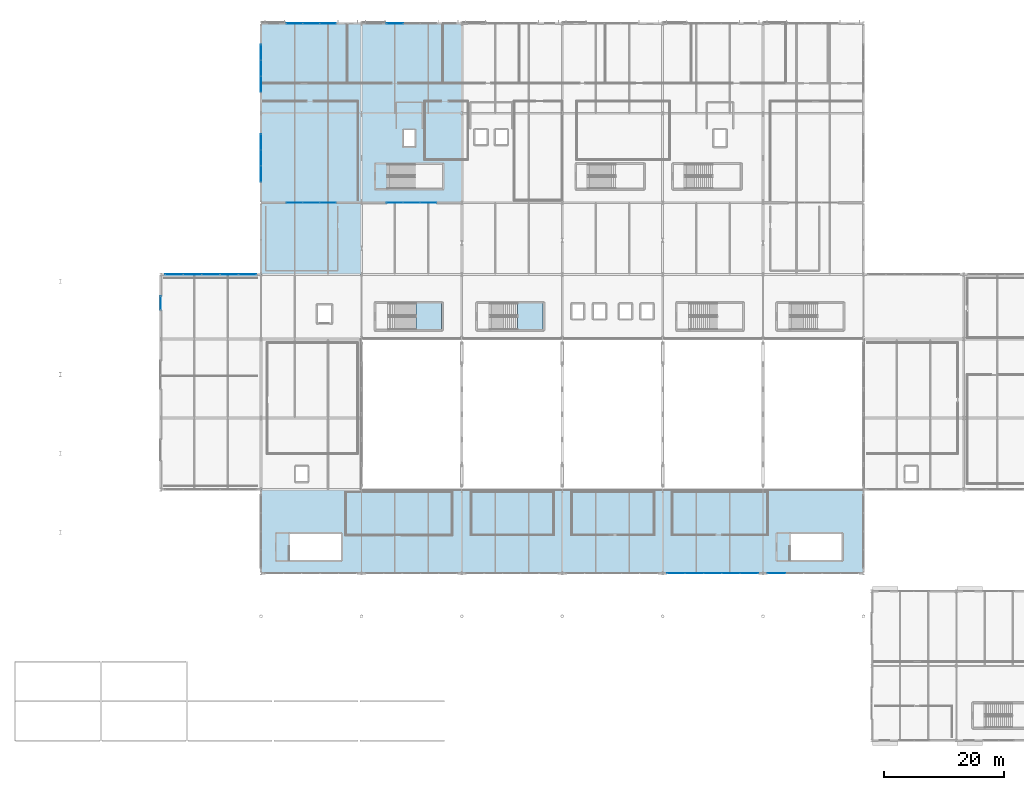
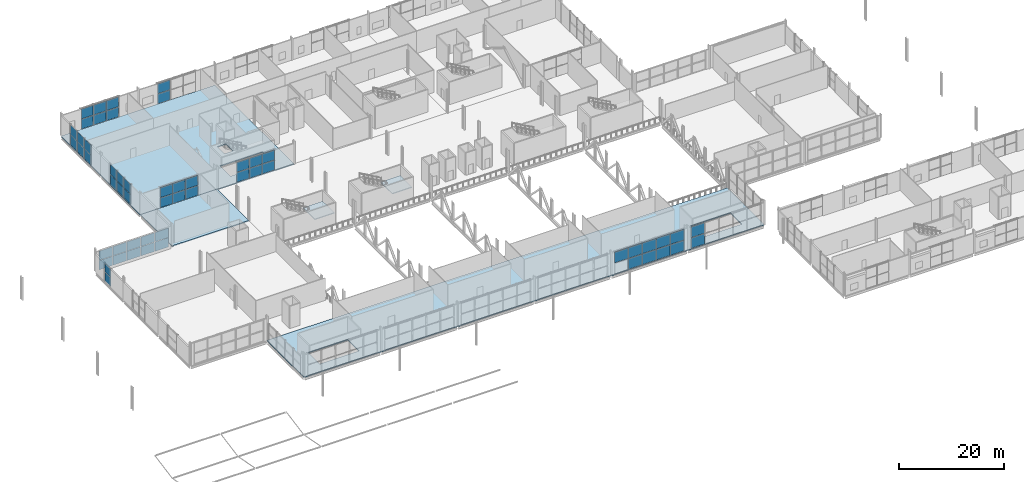
# One storey, part 50 of 84: 55 plates, 5 slabs, 12 elements without a shape of their own.
"""IFC4 building model written with IfcOpenShell, lengths in metres."""

import ifcopenshell
import ifcopenshell.guid

model = None  # the IFC model being written
_history = None  # IfcOwnerHistory: only IFC2X3 demands one
_inside = {}  # id of a spatial element -> (the spatial element, [elements in it])
_under = {}  # id of a project, library or spatial element -> (it, [spatial elements below it])
_declared = {}  # id of a project -> (the project, [libraries it declares])
_typed = {}  # id of a type object -> (the type object, [elements of that type])
_made_of = {}  # id of a material, layer set ... -> (it, [elements and type objects made of it])


def new_model(schema):
    """Start an empty IFC model of exactly this schema.

    Asked for "IFC4X3", IfcOpenShell would pick the latest addendum, in which some entities
    have other attributes; the version numbers below select the first issue.
    IFC2X3 requires an IfcOwnerHistory on every rooted entity: one is made here for all.
    """
    global model, _history
    if schema == "IFC4X3":
        model = ifcopenshell.file(schema_version=(4, 3, 0, 0))
    else:
        model = ifcopenshell.file(schema=schema)
    _inside.clear()
    _under.clear()
    _declared.clear()
    _typed.clear()
    _made_of.clear()
    _history = None
    if model.schema == "IFC2X3":
        org = make("IfcOrganization", Name="unknown")
        user = make(
            "IfcPersonAndOrganization",
            ThePerson=make("IfcPerson", FamilyName="unknown"),
            TheOrganization=org,
        )
        app = make(
            "IfcApplication",
            ApplicationDeveloper=org,
            Version="unknown",
            ApplicationFullName="unknown",
            ApplicationIdentifier="unknown",
        )
        _history = make(
            "IfcOwnerHistory",
            OwningUser=user,
            OwningApplication=app,
            ChangeAction="ADDED",
            CreationDate=0,
        )
    return model


def make(cls, **values):
    """One entity of the class cls with the attributes given. An attribute that is None is left unset."""
    return model.create_entity(
        cls, **{name: value for name, value in values.items() if value is not None}
    )


def rooted(cls, **values):
    """An entity with a GlobalId (a new one), such as an element, a storey or a relation."""
    return make(cls, GlobalId=ifcopenshell.guid.new(), OwnerHistory=_history, **values)


def si_unit(unit_type, name, prefix=None):
    """IfcSIUnit, for example si_unit("LENGTHUNIT", "METRE", prefix="MILLI")."""
    return make("IfcSIUnit", UnitType=unit_type, Prefix=prefix, Name=name)


def assignment(units):
    """IfcUnitAssignment: the units of a project."""
    return None if units is None else make("IfcUnitAssignment", Units=units)


def point(xyz):
    """IfcCartesianPoint."""
    return None if xyz is None else make("IfcCartesianPoint", Coordinates=xyz)


def direction(xyz):
    """IfcDirection."""
    return None if xyz is None else make("IfcDirection", DirectionRatios=xyz)


def frame(location, z_axis=None, x_axis=None):
    """IfcAxis2Placement3D, a coordinate frame: its origin and axes. An axis left out is left unset."""
    return make(
        "IfcAxis2Placement3D",
        Location=point(location),
        Axis=direction(z_axis),
        RefDirection=direction(x_axis),
    )


def frame_2d(location, x_axis=None):
    """IfcAxis2Placement2D, a coordinate frame in the plane: its origin and x axis."""
    return make(
        "IfcAxis2Placement2D", Location=point(location), RefDirection=direction(x_axis)
    )


def origin():
    """The frame at (0, 0, 0) with its axes left unset."""
    return frame((0.0, 0.0, 0.0))


def origin_2d():
    """The frame at (0, 0) in the plane with its x axis left unset."""
    return frame_2d((0.0, 0.0))


def place(relative_to, where):
    """IfcLocalPlacement: puts the frame where relative to a parent placement (None: the world)."""
    return make(
        "IfcLocalPlacement", PlacementRelTo=relative_to, RelativePlacement=where
    )


def context(
    kind, dimensions, precision=None, world=None, true_north=None, identifier=None
):
    """IfcGeometricRepresentationContext, for example the 3D "Model" context."""
    return make(
        "IfcGeometricRepresentationContext",
        ContextIdentifier=identifier,
        ContextType=kind,
        CoordinateSpaceDimension=dimensions,
        Precision=precision,
        WorldCoordinateSystem=world,
        TrueNorth=true_north,
    )


def subcontext(parent, identifier, kind, view, scale=None):
    """IfcGeometricRepresentationSubContext, for example "Body" below "Model"."""
    return make(
        "IfcGeometricRepresentationSubContext",
        ContextIdentifier=identifier,
        ContextType=kind,
        ParentContext=parent,
        TargetScale=scale,
        TargetView=view,
    )


def project(units=None, contexts=None):
    """IfcProject with its units and contexts."""
    return rooted(
        "IfcProject",
        Name="project",
        RepresentationContexts=contexts,
        UnitsInContext=assignment(units),
    )


def spatial(cls, under=None, at=None, **own):
    """A site, building, storey or space (cls), placed at a placement, below another one or the project."""
    s = rooted(cls, ObjectPlacement=at, **own)
    if under is not None:
        _under.setdefault(under.id(), (under, []))[1].append(s)
    return s


def polyline(points):
    """IfcPolyline through the points."""
    return make("IfcPolyline", Points=[point(p) for p in points])


def profile(cls, at=None, kind="AREA", **sizes):
    """A parametric profile (cls). Its sizes go by their IFC names, for example OverallWidth=200.0."""
    return make(cls, ProfileType=kind, Position=at, **sizes)


def rectangle(**sizes):
    """IfcRectangleProfileDef."""
    return profile("IfcRectangleProfileDef", **sizes)


def outline(outer, holes=None, kind="AREA"):
    """IfcArbitraryClosedProfileDef: a profile drawn as a closed curve; with holes, ...WithVoids."""
    if holes is None:
        return make("IfcArbitraryClosedProfileDef", ProfileType=kind, OuterCurve=outer)
    return make(
        "IfcArbitraryProfileDefWithVoids",
        ProfileType=kind,
        OuterCurve=outer,
        InnerCurves=holes,
    )


def extrude(swept, where, along, depth):
    """IfcExtrudedAreaSolid: the profile swept, set in the frame where, extruded along a direction by depth."""
    return make(
        "IfcExtrudedAreaSolid",
        SweptArea=swept,
        Position=where,
        ExtrudedDirection=direction(along),
        Depth=depth,
    )


def shape(context_of_items, identifier, shape_type, items):
    """IfcShapeRepresentation: the items that make up one representation, for example the "Body"."""
    return make(
        "IfcShapeRepresentation",
        ContextOfItems=context_of_items,
        RepresentationIdentifier=identifier,
        RepresentationType=shape_type,
        Items=items,
    )


def material(Name=None, Category=None):
    """IfcMaterial."""
    return make("IfcMaterial", Name=Name, Category=Category)


def layer(
    of_material, thickness, ventilated=None, Name=None, Category=None, Priority=None
):
    """IfcMaterialLayer: one layer of a wall or slab, of a material (None: an air gap)."""
    return make(
        "IfcMaterialLayer",
        Material=of_material,
        LayerThickness=thickness,
        IsVentilated=ventilated,
        Name=Name,
        Category=Category,
        Priority=Priority,
    )


def layer_set(layers, Name=None):
    """IfcMaterialLayerSet."""
    return make("IfcMaterialLayerSet", MaterialLayers=layers, LayerSetName=Name)


def made_of(thing, what):
    """Note that an element or type object is made of a material, layer set ...; save() writes the relation."""
    if what is not None:
        _made_of.setdefault(what.id(), (what, []))[1].append(thing)
    return thing


def type_object(cls, material=None, **own):
    """A type object (cls), such as IfcWallType, which elements share."""
    return made_of(rooted(cls, **own), material)


def element(
    cls,
    number,
    at=None,
    inside=None,
    cuts=None,
    type_object=None,
    material=None,
    context=None,
    identifier="Body",
    shape_type=None,
    held_by="IfcProductDefinitionShape",
    body=None,
    shapes=None,
    **own,
):
    """One element of the class cls, such as IfcWall. Its Tag is "e" and its number.

    at: its placement. inside: the storey or other place that contains it. cuts: it is an
    opening in that element (IfcRelVoidsElement). A single representation is given by context,
    identifier, shape_type and body (its items); several are given by shapes. held_by: the class
    of the entity that holds the representations. save() writes the other relations.
    """
    e = rooted(cls, Tag="e%d" % number, ObjectPlacement=at, **own)
    if body is not None:
        shapes = [shape(context, identifier, shape_type, body)]
    if shapes is not None:
        e.Representation = make(held_by, Representations=shapes)
    if inside is not None:
        _inside.setdefault(inside.id(), (inside, []))[1].append(e)
    if cuts is not None:
        rooted(
            "IfcRelVoidsElement", RelatingBuildingElement=cuts, RelatedOpeningElement=e
        )
    if type_object is not None:
        _typed.setdefault(type_object.id(), (type_object, []))[1].append(e)
    return made_of(e, material)


def aggregate(whole, parts):
    """IfcRelAggregates: a whole, such as a stair, and the parts it consists of."""
    return rooted("IfcRelAggregates", RelatingObject=whole, RelatedObjects=parts)


def save(model, path):
    """Write the relations noted so far, then the file.

    IfcRelAggregates (storeys below a building ...), IfcRelContainedInSpatialStructure (elements
    in a storey), IfcRelDefinesByType, IfcRelAssociatesMaterial and IfcRelDeclares: one each for
    every whole, place, type object, material and project.
    """
    for whole, parts in _under.values():
        aggregate(whole, parts)
    for where, things in _inside.values():
        rooted(
            "IfcRelContainedInSpatialStructure",
            RelatedElements=things,
            RelatingStructure=where,
        )
    for kind, things in _typed.values():
        rooted("IfcRelDefinesByType", RelatedObjects=things, RelatingType=kind)
    for what, things in _made_of.values():
        rooted("IfcRelAssociatesMaterial", RelatedObjects=things, RelatingMaterial=what)
    for by, libraries in _declared.values():
        rooted("IfcRelDeclares", RelatingContext=by, RelatedDefinitions=libraries)
    model.write(path)


model = new_model("IFC4")

# Units and contexts
model_context = context("Model", 3, precision=1e-05, world=origin(), true_north=direction((0.0, 1.0)))
body_context = subcontext(model_context, "Body", "Model", "MODEL_VIEW")
ifc_project = project(units=[si_unit("LENGTHUNIT", "METRE"), si_unit("AREAUNIT", "SQUARE_METRE"), si_unit("VOLUMEUNIT", "CUBIC_METRE"), si_unit("PLANEANGLEUNIT", "RADIAN"), si_unit("MASSUNIT", "GRAM", prefix="KILO")], contexts=[model_context])

# Site, building, storey
site_placement = place(None, origin())
site = spatial("IfcSite", under=ifc_project, at=site_placement, CompositionType="ELEMENT")
building_placement = place(site_placement, origin())
building = spatial("IfcBuilding", under=site, at=building_placement, Name="Kimbaza Rail Terminus", CompositionType="ELEMENT")
storey_placement = place(building_placement, frame((0.0, 0.0, 5.39990234375)))
storey = spatial("IfcBuildingStorey", under=building, at=storey_placement, Name="L01", CompositionType="ELEMENT", Elevation=5.39990234375)

# Curtain wall, plates
ifc_material_1 = material(Name="Anodised aluminium framing and solar low-E glazing", Category="aluminium")
curtain_wall_type_1 = type_object("IfcCurtainWallType", Name="ARC-CW-TH1", PredefinedType="USERDEFINED", material=ifc_material_1)
curtain_wall_1_placement = place(storey_placement, origin())
curtain_wall_1 = element("IfcCurtainWall", 1, at=curtain_wall_1_placement, inside=storey, type_object=curtain_wall_type_1, Name="Ticket Hall Wing W Curtain Wall L01.1", ObjectType="UNITISED CURTAIN WALL", PredefinedType="USERDEFINED")
ifc_material_2 = material(Name="Solar-control double low-E glazing", Category="glass")
ifc_layer_1 = layer(ifc_material_2, 0.035888671875)
ifc_layer_set_1 = layer_set([ifc_layer_1], Name="Solar-control double low-E glazing")
plate_type_1 = type_object("IfcPlateType", Name="ARC-CWP-01", PredefinedType="CURTAIN_PANEL", material=ifc_layer_set_1)
plate_1_placement = place(storey_placement, frame((40.6748046875, 91.0, 0.0751953125), z_axis=(0.0, 0.0, 1.0), x_axis=(1.0, 0.0, 0.0)))
plate_1 = element("IfcPlate", 2, at=plate_1_placement, type_object=plate_type_1, Name="CW-01 panel 1.1", PredefinedType="CURTAIN_PANEL", context=body_context, shape_type="SweptSolid", body=[
    extrude(rectangle(XDim=2.95947265625, YDim=0.035888671875, at=origin_2d()), origin(), (0.0, 0.0, 1.0), 2.1298828125),
])
plate_2_placement = place(storey_placement, frame((40.6748046875, 91.0, 2.2802734375), z_axis=(0.0, 0.0, 1.0), x_axis=(1.0, 0.0, 0.0)))
plate_2 = element("IfcPlate", 3, at=plate_2_placement, type_object=plate_type_1, Name="CW-01 panel 1.2", PredefinedType="CURTAIN_PANEL", context=body_context, shape_type="SweptSolid", body=[
    extrude(rectangle(XDim=2.95947265625, YDim=0.035888671875, at=origin_2d()), origin(), (0.0, 0.0, 1.0), 2.1298828125),
])
plate_3_placement = place(storey_placement, frame((43.72802734375, 91.0, 0.0751953125), z_axis=(0.0, 0.0, 1.0), x_axis=(1.0, 0.0, 0.0)))
plate_3 = element("IfcPlate", 4, at=plate_3_placement, type_object=plate_type_1, Name="CW-01 panel 2.1", PredefinedType="CURTAIN_PANEL", context=body_context, shape_type="SweptSolid", body=[
    extrude(rectangle(XDim=2.9970703125, YDim=0.035888671875, at=origin_2d()), origin(), (0.0, 0.0, 1.0), 2.1298828125),
])
plate_4_placement = place(storey_placement, frame((43.72802734375, 91.0, 2.2802734375), z_axis=(0.0, 0.0, 1.0), x_axis=(1.0, 0.0, 0.0)))
plate_4 = element("IfcPlate", 5, at=plate_4_placement, type_object=plate_type_1, Name="CW-01 panel 2.2", PredefinedType="CURTAIN_PANEL", context=body_context, shape_type="SweptSolid", body=[
    extrude(rectangle(XDim=2.9970703125, YDim=0.035888671875, at=origin_2d()), origin(), (0.0, 0.0, 1.0), 2.1298828125),
])
plate_5_placement = place(storey_placement, frame((46.800048828125, 91.0, 0.0751953125), z_axis=(0.0, 0.0, 1.0), x_axis=(1.0, 0.0, 0.0)))
plate_5 = element("IfcPlate", 6, at=plate_5_placement, type_object=plate_type_1, Name="CW-01 panel 3.1", PredefinedType="CURTAIN_PANEL", context=body_context, shape_type="SweptSolid", body=[
    extrude(rectangle(XDim=2.9970703125, YDim=0.035888671875, at=origin_2d()), origin(), (0.0, 0.0, 1.0), 2.1298828125),
])
plate_6_placement = place(storey_placement, frame((46.800048828125, 91.0, 2.2802734375), z_axis=(0.0, 0.0, 1.0), x_axis=(1.0, 0.0, 0.0)))
plate_6 = element("IfcPlate", 7, at=plate_6_placement, type_object=plate_type_1, Name="CW-01 panel 3.2", PredefinedType="CURTAIN_PANEL", context=body_context, shape_type="SweptSolid", body=[
    extrude(rectangle(XDim=2.9970703125, YDim=0.035888671875, at=origin_2d()), origin(), (0.0, 0.0, 1.0), 2.1298828125),
])
plate_7_placement = place(storey_placement, frame((49.8720703125, 91.0, 0.0751953125), z_axis=(0.0, 0.0, 1.0), x_axis=(1.0, 0.0, 0.0)))
plate_7 = element("IfcPlate", 8, at=plate_7_placement, type_object=plate_type_1, Name="CW-01 panel 4.1", PredefinedType="CURTAIN_PANEL", context=body_context, shape_type="SweptSolid", body=[
    extrude(rectangle(XDim=2.9970703125, YDim=0.035888671875, at=origin_2d()), origin(), (0.0, 0.0, 1.0), 2.1298828125),
])
plate_8_placement = place(storey_placement, frame((49.8720703125, 91.0, 2.2802734375), z_axis=(0.0, 0.0, 1.0), x_axis=(1.0, 0.0, 0.0)))
plate_8 = element("IfcPlate", 9, at=plate_8_placement, type_object=plate_type_1, Name="CW-01 panel 4.2", PredefinedType="CURTAIN_PANEL", context=body_context, shape_type="SweptSolid", body=[
    extrude(rectangle(XDim=2.9970703125, YDim=0.035888671875, at=origin_2d()), origin(), (0.0, 0.0, 1.0), 2.1298828125),
])
plate_9_placement = place(storey_placement, frame((52.92529296875, 91.0, 0.0751953125), z_axis=(0.0, 0.0, 1.0), x_axis=(1.0, 0.0, 0.0)))
plate_9 = element("IfcPlate", 10, at=plate_9_placement, type_object=plate_type_1, Name="CW-01 panel 5.1", PredefinedType="CURTAIN_PANEL", context=body_context, shape_type="SweptSolid", body=[
    extrude(rectangle(XDim=2.95947265625, YDim=0.035888671875, at=origin_2d()), origin(), (0.0, 0.0, 1.0), 2.1298828125),
])
plate_10_placement = place(storey_placement, frame((52.92529296875, 91.0, 2.2802734375), z_axis=(0.0, 0.0, 1.0), x_axis=(1.0, 0.0, 0.0)))
plate_10 = element("IfcPlate", 11, at=plate_10_placement, type_object=plate_type_1, Name="CW-01 panel 5.2", PredefinedType="CURTAIN_PANEL", context=body_context, shape_type="SweptSolid", body=[
    extrude(rectangle(XDim=2.95947265625, YDim=0.035888671875, at=origin_2d()), origin(), (0.0, 0.0, 1.0), 2.1298828125),
])
aggregate(curtain_wall_1, [plate_1, plate_2, plate_3, plate_4, plate_5, plate_6, plate_7, plate_8, plate_9, plate_10])

curtain_wall_2_placement = place(storey_placement, origin())
curtain_wall_2 = element("IfcCurtainWall", 12, at=curtain_wall_2_placement, inside=storey, type_object=curtain_wall_type_1, Name="Ticket Hall W Glazing L01.3", ObjectType="UNITISED CURTAIN WALL", PredefinedType="USERDEFINED")
plate_11_placement = place(storey_placement, frame((38.39990234375, 86.199951171875, 0.0751953125), z_axis=(0.0, 0.0, 1.0), x_axis=(0.0, 1.0, 0.0)))
plate_11 = element("IfcPlate", 13, at=plate_11_placement, type_object=plate_type_1, Name="CW-01 panel 1.1", PredefinedType="CURTAIN_PANEL", context=body_context, shape_type="SweptSolid", body=[
    extrude(rectangle(XDim=2.25, YDim=0.035888671875, at=origin_2d()), origin(), (0.0, 0.0, 1.0), 1.949951171875),
])
plate_12_placement = place(storey_placement, frame((38.39990234375, 86.199951171875, 2.10009765625), z_axis=(0.0, 0.0, 1.0), x_axis=(0.0, 1.0, 0.0)))
plate_12 = element("IfcPlate", 14, at=plate_12_placement, type_object=plate_type_1, Name="CW-01 panel 1.2", PredefinedType="CURTAIN_PANEL", context=body_context, shape_type="SweptSolid", body=[
    extrude(rectangle(XDim=2.25, YDim=0.035888671875, at=origin_2d()), origin(), (0.0, 0.0, 1.0), 1.949951171875),
])
aggregate(curtain_wall_2, [plate_11, plate_12])

ifc_material_3 = material(Name="Anodised aluminium framing and solar low-E glazing", Category="aluminium")
curtain_wall_type_2 = type_object("IfcCurtainWallType", Name="ARC-CW-CN1", PredefinedType="USERDEFINED", material=ifc_material_3)
curtain_wall_3_placement = place(storey_placement, origin())
curtain_wall_3 = element("IfcCurtainWall", 15, at=curtain_wall_3_placement, inside=storey, type_object=curtain_wall_type_2, Name="South Concourse Upper Glazing L01 Bay 5", ObjectType="UNITISED CURTAIN WALL", PredefinedType="USERDEFINED")
ifc_material_4 = material(Name="Solar-control double low-E glazing", Category="glass")
ifc_layer_2 = layer(ifc_material_4, 0.032958984375)
ifc_layer_set_2 = layer_set([ifc_layer_2], Name="Solar-control double low-E glazing")
plate_type_2 = type_object("IfcPlateType", Name="ARC-CWP-02", PredefinedType="CURTAIN_PANEL", material=ifc_layer_set_2)
plate_13_placement = place(storey_placement, frame((124.673583984375, 41.0, 2.60498046875), z_axis=(0.0, 0.0, 1.0), x_axis=(1.0, 0.0, 0.0)))
plate_13 = element("IfcPlate", 16, at=plate_13_placement, type_object=plate_type_2, Name="CW-02 panel 1.2", PredefinedType="CURTAIN_PANEL", context=body_context, shape_type="SweptSolid", body=[
    extrude(rectangle(XDim=2.967041015625, YDim=0.032958984375, at=origin_2d()), origin(), (0.0, 0.0, 1.0), 2.465087890625),
])
plate_14_placement = place(storey_placement, frame((127.72802734375, 41.0, 0.06982421875), z_axis=(0.0, 0.0, 1.0), x_axis=(1.0, 0.0, 0.0)))
plate_14 = element("IfcPlate", 17, at=plate_14_placement, type_object=plate_type_2, Name="CW-02 panel 2.1", PredefinedType="CURTAIN_PANEL", context=body_context, shape_type="SweptSolid", body=[
    extrude(rectangle(XDim=3.001953125, YDim=0.032958984375, at=origin_2d()), origin(), (0.0, 0.0, 1.0), 2.465087890625),
])
plate_15_placement = place(storey_placement, frame((127.72802734375, 41.0, 2.60498046875), z_axis=(0.0, 0.0, 1.0), x_axis=(1.0, 0.0, 0.0)))
plate_15 = element("IfcPlate", 18, at=plate_15_placement, type_object=plate_type_2, Name="CW-02 panel 2.2", PredefinedType="CURTAIN_PANEL", context=body_context, shape_type="SweptSolid", body=[
    extrude(rectangle(XDim=3.001953125, YDim=0.032958984375, at=origin_2d()), origin(), (0.0, 0.0, 1.0), 2.465087890625),
])
plate_16_placement = place(storey_placement, frame((130.800048828125, 41.0, 0.06982421875), z_axis=(0.0, 0.0, 1.0), x_axis=(1.0, 0.0, 0.0)))
plate_16 = element("IfcPlate", 19, at=plate_16_placement, type_object=plate_type_2, Name="CW-02 panel 3.1", PredefinedType="CURTAIN_PANEL", context=body_context, shape_type="SweptSolid", body=[
    extrude(rectangle(XDim=3.001953125, YDim=0.032958984375, at=origin_2d()), origin(), (0.0, 0.0, 1.0), 2.465087890625),
])
plate_17_placement = place(storey_placement, frame((130.800048828125, 41.0, 2.60498046875), z_axis=(0.0, 0.0, 1.0), x_axis=(1.0, 0.0, 0.0)))
plate_17 = element("IfcPlate", 20, at=plate_17_placement, type_object=plate_type_2, Name="CW-02 panel 3.2", PredefinedType="CURTAIN_PANEL", context=body_context, shape_type="SweptSolid", body=[
    extrude(rectangle(XDim=3.001953125, YDim=0.032958984375, at=origin_2d()), origin(), (0.0, 0.0, 1.0), 2.465087890625),
])
plate_18_placement = place(storey_placement, frame((133.8720703125, 41.0, 0.06982421875), z_axis=(0.0, 0.0, 1.0), x_axis=(1.0, 0.0, 0.0)))
plate_18 = element("IfcPlate", 21, at=plate_18_placement, type_object=plate_type_2, Name="CW-02 panel 4.1", PredefinedType="CURTAIN_PANEL", context=body_context, shape_type="SweptSolid", body=[
    extrude(rectangle(XDim=3.001953125, YDim=0.032958984375, at=origin_2d()), origin(), (0.0, 0.0, 1.0), 2.465087890625),
])
plate_19_placement = place(storey_placement, frame((133.8720703125, 41.0, 2.60498046875), z_axis=(0.0, 0.0, 1.0), x_axis=(1.0, 0.0, 0.0)))
plate_19 = element("IfcPlate", 22, at=plate_19_placement, type_object=plate_type_2, Name="CW-02 panel 4.2", PredefinedType="CURTAIN_PANEL", context=body_context, shape_type="SweptSolid", body=[
    extrude(rectangle(XDim=3.001953125, YDim=0.032958984375, at=origin_2d()), origin(), (0.0, 0.0, 1.0), 2.465087890625),
])
plate_20_placement = place(storey_placement, frame((136.926513671875, 41.0, 0.06982421875), z_axis=(0.0, 0.0, 1.0), x_axis=(1.0, 0.0, 0.0)))
plate_20 = element("IfcPlate", 23, at=plate_20_placement, type_object=plate_type_2, Name="CW-02 panel 5.1", PredefinedType="CURTAIN_PANEL", context=body_context, shape_type="SweptSolid", body=[
    extrude(rectangle(XDim=2.967041015625, YDim=0.032958984375, at=origin_2d()), origin(), (0.0, 0.0, 1.0), 2.465087890625),
])
plate_21_placement = place(storey_placement, frame((136.926513671875, 41.0, 2.60498046875), z_axis=(0.0, 0.0, 1.0), x_axis=(1.0, 0.0, 0.0)))
plate_21 = element("IfcPlate", 24, at=plate_21_placement, type_object=plate_type_2, Name="CW-02 panel 5.2", PredefinedType="CURTAIN_PANEL", context=body_context, shape_type="SweptSolid", body=[
    extrude(rectangle(XDim=2.967041015625, YDim=0.032958984375, at=origin_2d()), origin(), (0.0, 0.0, 1.0), 2.465087890625),
])
aggregate(curtain_wall_3, [plate_13, plate_14, plate_15, plate_16, plate_17, plate_18, plate_19, plate_20, plate_21])

curtain_wall_4_placement = place(storey_placement, origin())
curtain_wall_4 = element("IfcCurtainWall", 25, at=curtain_wall_4_placement, inside=storey, type_object=curtain_wall_type_2, Name="South Concourse Upper Glazing L01 Bay 6", ObjectType="UNITISED CURTAIN WALL", PredefinedType="USERDEFINED")
plate_22_placement = place(storey_placement, frame((141.473388671875, 41.0, 0.06982421875), z_axis=(0.0, 0.0, 1.0), x_axis=(1.0, 0.0, 0.0)))
plate_22 = element("IfcPlate", 26, at=plate_22_placement, type_object=plate_type_2, Name="CW-02 panel 1.1", PredefinedType="CURTAIN_PANEL", context=body_context, shape_type="SweptSolid", body=[
    extrude(rectangle(XDim=2.967041015625, YDim=0.032958984375, at=origin_2d()), origin(), (0.0, 0.0, 1.0), 2.465087890625),
])
plate_23_placement = place(storey_placement, frame((141.473388671875, 41.0, 2.60498046875), z_axis=(0.0, 0.0, 1.0), x_axis=(1.0, 0.0, 0.0)))
plate_23 = element("IfcPlate", 27, at=plate_23_placement, type_object=plate_type_2, Name="CW-02 panel 1.2", PredefinedType="CURTAIN_PANEL", context=body_context, shape_type="SweptSolid", body=[
    extrude(rectangle(XDim=2.967041015625, YDim=0.032958984375, at=origin_2d()), origin(), (0.0, 0.0, 1.0), 2.465087890625),
])
aggregate(curtain_wall_4, [plate_22, plate_23])

ifc_material_5 = material(Name="Anodised aluminium framing and solar low-E glazing", Category="aluminium")
curtain_wall_type_3 = type_object("IfcCurtainWallType", Name="ARC-CW-OP1", PredefinedType="USERDEFINED", material=ifc_material_5)
curtain_wall_5_placement = place(storey_placement, origin())
curtain_wall_5 = element("IfcCurtainWall", 28, at=curtain_wall_5_placement, inside=storey, type_object=curtain_wall_type_3, Name="Operations North Curtain Wall L01 Bay 1", ObjectType="UNITISED CURTAIN WALL", PredefinedType="USERDEFINED")
ifc_material_6 = material(Name="Solar-control double low-E glazing", Category="glass")
ifc_layer_3 = layer(ifc_material_6, 0.02490234375)
ifc_layer_set_3 = layer_set([ifc_layer_3], Name="Solar-control double low-E glazing")
plate_type_3 = type_object("IfcPlateType", Name="ARC-CWP-05", PredefinedType="CURTAIN_PANEL", material=ifc_layer_set_3)
plate_24_placement = place(storey_placement, frame((60.8154296875, 133.0, 0.06201171875), z_axis=(0.0, 0.0, 1.0), x_axis=(1.0, 0.0, 0.0)))
plate_24 = element("IfcPlate", 29, at=plate_24_placement, type_object=plate_type_3, Name="CW-05 panel 1.1", PredefinedType="CURTAIN_PANEL", context=body_context, shape_type="SweptSolid", body=[
    extrude(rectangle(XDim=2.70703125, YDim=0.02490234375, at=origin_2d()), origin(), (0.0, 0.0, 1.0), 2.28955078125),
])
plate_25_placement = place(storey_placement, frame((60.8154296875, 133.0, 2.41357421875), z_axis=(0.0, 0.0, 1.0), x_axis=(1.0, 0.0, 0.0)))
plate_25 = element("IfcPlate", 30, at=plate_25_placement, type_object=plate_type_3, Name="CW-05 panel 1.2", PredefinedType="CURTAIN_PANEL", context=body_context, shape_type="SweptSolid", body=[
    extrude(rectangle(XDim=2.70703125, YDim=0.02490234375, at=origin_2d()), origin(), (0.0, 0.0, 1.0), 2.28955078125),
])
plate_26_placement = place(storey_placement, frame((63.60009765625, 133.0, 0.06201171875), z_axis=(0.0, 0.0, 1.0), x_axis=(1.0, 0.0, 0.0)))
plate_26 = element("IfcPlate", 31, at=plate_26_placement, type_object=plate_type_3, Name="CW-05 panel 2.1", PredefinedType="CURTAIN_PANEL", context=body_context, shape_type="SweptSolid", body=[
    extrude(rectangle(XDim=2.738037109375, YDim=0.02490234375, at=origin_2d()), origin(), (0.0, 0.0, 1.0), 2.28955078125),
])
plate_27_placement = place(storey_placement, frame((63.60009765625, 133.0, 2.41357421875), z_axis=(0.0, 0.0, 1.0), x_axis=(1.0, 0.0, 0.0)))
plate_27 = element("IfcPlate", 32, at=plate_27_placement, type_object=plate_type_3, Name="CW-05 panel 2.2", PredefinedType="CURTAIN_PANEL", context=body_context, shape_type="SweptSolid", body=[
    extrude(rectangle(XDim=2.738037109375, YDim=0.02490234375, at=origin_2d()), origin(), (0.0, 0.0, 1.0), 2.28955078125),
])
plate_28_placement = place(storey_placement, frame((66.384521484375, 133.0, 0.06201171875), z_axis=(0.0, 0.0, 1.0), x_axis=(1.0, 0.0, 0.0)))
plate_28 = element("IfcPlate", 33, at=plate_28_placement, type_object=plate_type_3, Name="CW-05 panel 3.1", PredefinedType="CURTAIN_PANEL", context=body_context, shape_type="SweptSolid", body=[
    extrude(rectangle(XDim=2.70703125, YDim=0.02490234375, at=origin_2d()), origin(), (0.0, 0.0, 1.0), 2.28955078125),
])
plate_29_placement = place(storey_placement, frame((66.384521484375, 133.0, 2.41357421875), z_axis=(0.0, 0.0, 1.0), x_axis=(1.0, 0.0, 0.0)))
plate_29 = element("IfcPlate", 34, at=plate_29_placement, type_object=plate_type_3, Name="CW-05 panel 3.2", PredefinedType="CURTAIN_PANEL", context=body_context, shape_type="SweptSolid", body=[
    extrude(rectangle(XDim=2.70703125, YDim=0.02490234375, at=origin_2d()), origin(), (0.0, 0.0, 1.0), 2.28955078125),
])
aggregate(curtain_wall_5, [plate_24, plate_25, plate_26, plate_27, plate_28, plate_29])

curtain_wall_6_placement = place(storey_placement, origin())
curtain_wall_6 = element("IfcCurtainWall", 35, at=curtain_wall_6_placement, inside=storey, type_object=curtain_wall_type_3, Name="Operations North Curtain Wall L01 Bay 2", ObjectType="UNITISED CURTAIN WALL", PredefinedType="USERDEFINED")
plate_30_placement = place(storey_placement, frame((77.615478515625, 133.0, 0.06201171875), z_axis=(0.0, 0.0, 1.0), x_axis=(1.0, 0.0, 0.0)))
plate_30 = element("IfcPlate", 36, at=plate_30_placement, type_object=plate_type_3, Name="CW-05 panel 1.1", PredefinedType="CURTAIN_PANEL", context=body_context, shape_type="SweptSolid", body=[
    extrude(rectangle(XDim=2.70703125, YDim=0.02490234375, at=origin_2d()), origin(), (0.0, 0.0, 1.0), 2.28955078125),
])
plate_31_placement = place(storey_placement, frame((77.615478515625, 133.0, 2.41357421875), z_axis=(0.0, 0.0, 1.0), x_axis=(1.0, 0.0, 0.0)))
plate_31 = element("IfcPlate", 37, at=plate_31_placement, type_object=plate_type_3, Name="CW-05 panel 1.2", PredefinedType="CURTAIN_PANEL", context=body_context, shape_type="SweptSolid", body=[
    extrude(rectangle(XDim=2.70703125, YDim=0.02490234375, at=origin_2d()), origin(), (0.0, 0.0, 1.0), 2.28955078125),
])
aggregate(curtain_wall_6, [plate_30, plate_31])

curtain_wall_7_placement = place(storey_placement, origin())
curtain_wall_7 = element("IfcCurtainWall", 38, at=curtain_wall_7_placement, inside=storey, type_object=curtain_wall_type_3, Name="Operations South Curtain Wall L01 Bay 1", ObjectType="UNITISED CURTAIN WALL", PredefinedType="USERDEFINED")
plate_32_placement = place(storey_placement, frame((60.8154296875, 103.0, 0.06201171875), z_axis=(0.0, 0.0, 1.0), x_axis=(1.0, 0.0, 0.0)))
plate_32 = element("IfcPlate", 39, at=plate_32_placement, type_object=plate_type_3, Name="CW-05 panel 1.1", PredefinedType="CURTAIN_PANEL", context=body_context, shape_type="SweptSolid", body=[
    extrude(rectangle(XDim=2.70703125, YDim=0.02490234375, at=origin_2d()), origin(), (0.0, 0.0, 1.0), 2.28955078125),
])
plate_33_placement = place(storey_placement, frame((60.8154296875, 103.0, 2.41357421875), z_axis=(0.0, 0.0, 1.0), x_axis=(1.0, 0.0, 0.0)))
plate_33 = element("IfcPlate", 40, at=plate_33_placement, type_object=plate_type_3, Name="CW-05 panel 1.2", PredefinedType="CURTAIN_PANEL", context=body_context, shape_type="SweptSolid", body=[
    extrude(rectangle(XDim=2.70703125, YDim=0.02490234375, at=origin_2d()), origin(), (0.0, 0.0, 1.0), 2.28955078125),
])
plate_34_placement = place(storey_placement, frame((63.60009765625, 103.0, 0.06201171875), z_axis=(0.0, 0.0, 1.0), x_axis=(1.0, 0.0, 0.0)))
plate_34 = element("IfcPlate", 41, at=plate_34_placement, type_object=plate_type_3, Name="CW-05 panel 2.1", PredefinedType="CURTAIN_PANEL", context=body_context, shape_type="SweptSolid", body=[
    extrude(rectangle(XDim=2.738037109375, YDim=0.02490234375, at=origin_2d()), origin(), (0.0, 0.0, 1.0), 2.28955078125),
])
plate_35_placement = place(storey_placement, frame((63.60009765625, 103.0, 2.41357421875), z_axis=(0.0, 0.0, 1.0), x_axis=(1.0, 0.0, 0.0)))
plate_35 = element("IfcPlate", 42, at=plate_35_placement, type_object=plate_type_3, Name="CW-05 panel 2.2", PredefinedType="CURTAIN_PANEL", context=body_context, shape_type="SweptSolid", body=[
    extrude(rectangle(XDim=2.738037109375, YDim=0.02490234375, at=origin_2d()), origin(), (0.0, 0.0, 1.0), 2.28955078125),
])
plate_36_placement = place(storey_placement, frame((66.384521484375, 103.0, 0.06201171875), z_axis=(0.0, 0.0, 1.0), x_axis=(1.0, 0.0, 0.0)))
plate_36 = element("IfcPlate", 43, at=plate_36_placement, type_object=plate_type_3, Name="CW-05 panel 3.1", PredefinedType="CURTAIN_PANEL", context=body_context, shape_type="SweptSolid", body=[
    extrude(rectangle(XDim=2.70703125, YDim=0.02490234375, at=origin_2d()), origin(), (0.0, 0.0, 1.0), 2.28955078125),
])
plate_37_placement = place(storey_placement, frame((66.384521484375, 103.0, 2.41357421875), z_axis=(0.0, 0.0, 1.0), x_axis=(1.0, 0.0, 0.0)))
plate_37 = element("IfcPlate", 44, at=plate_37_placement, type_object=plate_type_3, Name="CW-05 panel 3.2", PredefinedType="CURTAIN_PANEL", context=body_context, shape_type="SweptSolid", body=[
    extrude(rectangle(XDim=2.70703125, YDim=0.02490234375, at=origin_2d()), origin(), (0.0, 0.0, 1.0), 2.28955078125),
])
aggregate(curtain_wall_7, [plate_32, plate_33, plate_34, plate_35, plate_36, plate_37])

curtain_wall_8_placement = place(storey_placement, origin())
curtain_wall_8 = element("IfcCurtainWall", 45, at=curtain_wall_8_placement, inside=storey, type_object=curtain_wall_type_3, Name="Operations South Curtain Wall L01 Bay 2", ObjectType="UNITISED CURTAIN WALL", PredefinedType="USERDEFINED")
plate_38_placement = place(storey_placement, frame((77.615478515625, 103.0, 0.06201171875), z_axis=(0.0, 0.0, 1.0), x_axis=(1.0, 0.0, 0.0)))
plate_38 = element("IfcPlate", 46, at=plate_38_placement, type_object=plate_type_3, Name="CW-05 panel 1.1", PredefinedType="CURTAIN_PANEL", context=body_context, shape_type="SweptSolid", body=[
    extrude(rectangle(XDim=2.70703125, YDim=0.02490234375, at=origin_2d()), origin(), (0.0, 0.0, 1.0), 2.28955078125),
])
plate_39_placement = place(storey_placement, frame((77.615478515625, 103.0, 2.41357421875), z_axis=(0.0, 0.0, 1.0), x_axis=(1.0, 0.0, 0.0)))
plate_39 = element("IfcPlate", 47, at=plate_39_placement, type_object=plate_type_3, Name="CW-05 panel 1.2", PredefinedType="CURTAIN_PANEL", context=body_context, shape_type="SweptSolid", body=[
    extrude(rectangle(XDim=2.70703125, YDim=0.02490234375, at=origin_2d()), origin(), (0.0, 0.0, 1.0), 2.28955078125),
])
plate_40_placement = place(storey_placement, frame((80.39990234375, 103.0, 0.06201171875), z_axis=(0.0, 0.0, 1.0), x_axis=(1.0, 0.0, 0.0)))
plate_40 = element("IfcPlate", 48, at=plate_40_placement, type_object=plate_type_3, Name="CW-05 panel 2.1", PredefinedType="CURTAIN_PANEL", context=body_context, shape_type="SweptSolid", body=[
    extrude(rectangle(XDim=2.738037109375, YDim=0.02490234375, at=origin_2d()), origin(), (0.0, 0.0, 1.0), 2.28955078125),
])
plate_41_placement = place(storey_placement, frame((80.39990234375, 103.0, 2.41357421875), z_axis=(0.0, 0.0, 1.0), x_axis=(1.0, 0.0, 0.0)))
plate_41 = element("IfcPlate", 49, at=plate_41_placement, type_object=plate_type_3, Name="CW-05 panel 2.2", PredefinedType="CURTAIN_PANEL", context=body_context, shape_type="SweptSolid", body=[
    extrude(rectangle(XDim=2.738037109375, YDim=0.02490234375, at=origin_2d()), origin(), (0.0, 0.0, 1.0), 2.28955078125),
])
plate_42_placement = place(storey_placement, frame((83.1845703125, 103.0, 0.06201171875), z_axis=(0.0, 0.0, 1.0), x_axis=(1.0, 0.0, 0.0)))
plate_42 = element("IfcPlate", 50, at=plate_42_placement, type_object=plate_type_3, Name="CW-05 panel 3.1", PredefinedType="CURTAIN_PANEL", context=body_context, shape_type="SweptSolid", body=[
    extrude(rectangle(XDim=2.70703125, YDim=0.02490234375, at=origin_2d()), origin(), (0.0, 0.0, 1.0), 2.28955078125),
])
plate_43_placement = place(storey_placement, frame((83.1845703125, 103.0, 2.41357421875), z_axis=(0.0, 0.0, 1.0), x_axis=(1.0, 0.0, 0.0)))
plate_43 = element("IfcPlate", 51, at=plate_43_placement, type_object=plate_type_3, Name="CW-05 panel 3.2", PredefinedType="CURTAIN_PANEL", context=body_context, shape_type="SweptSolid", body=[
    extrude(rectangle(XDim=2.70703125, YDim=0.02490234375, at=origin_2d()), origin(), (0.0, 0.0, 1.0), 2.28955078125),
])
aggregate(curtain_wall_8, [plate_38, plate_39, plate_40, plate_41, plate_42, plate_43])

curtain_wall_9_placement = place(storey_placement, origin())
curtain_wall_9 = element("IfcCurtainWall", 52, at=curtain_wall_9_placement, inside=storey, type_object=curtain_wall_type_3, Name="Operations W Curtain Wall L01.1", ObjectType="UNITISED CURTAIN WALL", PredefinedType="USERDEFINED")
plate_44_placement = place(storey_placement, frame((55.199951171875, 107.848876953125, 0.06201171875), z_axis=(0.0, 0.0, 1.0), x_axis=(0.0, 1.0, 0.0)))
plate_44 = element("IfcPlate", 53, at=plate_44_placement, type_object=plate_type_3, Name="CW-05 panel 1.1", PredefinedType="CURTAIN_PANEL", context=body_context, shape_type="SweptSolid", body=[
    extrude(rectangle(XDim=2.57373046875, YDim=0.02490234375, at=origin_2d()), origin(), (0.0, 0.0, 1.0), 2.28955078125),
])
plate_45_placement = place(storey_placement, frame((55.199951171875, 107.848876953125, 2.41357421875), z_axis=(0.0, 0.0, 1.0), x_axis=(0.0, 1.0, 0.0)))
plate_45 = element("IfcPlate", 54, at=plate_45_placement, type_object=plate_type_3, Name="CW-05 panel 1.2", PredefinedType="CURTAIN_PANEL", context=body_context, shape_type="SweptSolid", body=[
    extrude(rectangle(XDim=2.57373046875, YDim=0.02490234375, at=origin_2d()), origin(), (0.0, 0.0, 1.0), 2.28955078125),
])
plate_46_placement = place(storey_placement, frame((55.199951171875, 110.5, 0.06201171875), z_axis=(0.0, 0.0, 1.0), x_axis=(0.0, 1.0, 0.0)))
plate_46 = element("IfcPlate", 55, at=plate_46_placement, type_object=plate_type_3, Name="CW-05 panel 2.1", PredefinedType="CURTAIN_PANEL", context=body_context, shape_type="SweptSolid", body=[
    extrude(rectangle(XDim=2.604736328125, YDim=0.02490234375, at=origin_2d()), origin(), (0.0, 0.0, 1.0), 2.28955078125),
])
plate_47_placement = place(storey_placement, frame((55.199951171875, 110.5, 2.41357421875), z_axis=(0.0, 0.0, 1.0), x_axis=(0.0, 1.0, 0.0)))
plate_47 = element("IfcPlate", 56, at=plate_47_placement, type_object=plate_type_3, Name="CW-05 panel 2.2", PredefinedType="CURTAIN_PANEL", context=body_context, shape_type="SweptSolid", body=[
    extrude(rectangle(XDim=2.604736328125, YDim=0.02490234375, at=origin_2d()), origin(), (0.0, 0.0, 1.0), 2.28955078125),
])
plate_48_placement = place(storey_placement, frame((55.199951171875, 113.151123046875, 0.06201171875), z_axis=(0.0, 0.0, 1.0), x_axis=(0.0, 1.0, 0.0)))
plate_48 = element("IfcPlate", 57, at=plate_48_placement, type_object=plate_type_3, Name="CW-05 panel 3.1", PredefinedType="CURTAIN_PANEL", context=body_context, shape_type="SweptSolid", body=[
    extrude(rectangle(XDim=2.57373046875, YDim=0.02490234375, at=origin_2d()), origin(), (0.0, 0.0, 1.0), 2.28955078125),
])
plate_49_placement = place(storey_placement, frame((55.199951171875, 113.151123046875, 2.41357421875), z_axis=(0.0, 0.0, 1.0), x_axis=(0.0, 1.0, 0.0)))
plate_49 = element("IfcPlate", 58, at=plate_49_placement, type_object=plate_type_3, Name="CW-05 panel 3.2", PredefinedType="CURTAIN_PANEL", context=body_context, shape_type="SweptSolid", body=[
    extrude(rectangle(XDim=2.57373046875, YDim=0.02490234375, at=origin_2d()), origin(), (0.0, 0.0, 1.0), 2.28955078125),
])
aggregate(curtain_wall_9, [plate_44, plate_45, plate_46, plate_47, plate_48, plate_49])

curtain_wall_10_placement = place(storey_placement, origin())
curtain_wall_10 = element("IfcCurtainWall", 59, at=curtain_wall_10_placement, inside=storey, type_object=curtain_wall_type_3, Name="Operations W Curtain Wall L01.2", ObjectType="UNITISED CURTAIN WALL", PredefinedType="USERDEFINED")
plate_50_placement = place(storey_placement, frame((55.199951171875, 122.848876953125, 0.06201171875), z_axis=(0.0, 0.0, 1.0), x_axis=(0.0, 1.0, 0.0)))
plate_50 = element("IfcPlate", 60, at=plate_50_placement, type_object=plate_type_3, Name="CW-05 panel 1.1", PredefinedType="CURTAIN_PANEL", context=body_context, shape_type="SweptSolid", body=[
    extrude(rectangle(XDim=2.57373046875, YDim=0.02490234375, at=origin_2d()), origin(), (0.0, 0.0, 1.0), 2.28955078125),
])
plate_51_placement = place(storey_placement, frame((55.199951171875, 122.848876953125, 2.41357421875), z_axis=(0.0, 0.0, 1.0), x_axis=(0.0, 1.0, 0.0)))
plate_51 = element("IfcPlate", 61, at=plate_51_placement, type_object=plate_type_3, Name="CW-05 panel 1.2", PredefinedType="CURTAIN_PANEL", context=body_context, shape_type="SweptSolid", body=[
    extrude(rectangle(XDim=2.57373046875, YDim=0.02490234375, at=origin_2d()), origin(), (0.0, 0.0, 1.0), 2.28955078125),
])
plate_52_placement = place(storey_placement, frame((55.199951171875, 125.5, 0.06201171875), z_axis=(0.0, 0.0, 1.0), x_axis=(0.0, 1.0, 0.0)))
plate_52 = element("IfcPlate", 62, at=plate_52_placement, type_object=plate_type_3, Name="CW-05 panel 2.1", PredefinedType="CURTAIN_PANEL", context=body_context, shape_type="SweptSolid", body=[
    extrude(rectangle(XDim=2.604736328125, YDim=0.02490234375, at=origin_2d()), origin(), (0.0, 0.0, 1.0), 2.28955078125),
])
plate_53_placement = place(storey_placement, frame((55.199951171875, 125.5, 2.41357421875), z_axis=(0.0, 0.0, 1.0), x_axis=(0.0, 1.0, 0.0)))
plate_53 = element("IfcPlate", 63, at=plate_53_placement, type_object=plate_type_3, Name="CW-05 panel 2.2", PredefinedType="CURTAIN_PANEL", context=body_context, shape_type="SweptSolid", body=[
    extrude(rectangle(XDim=2.604736328125, YDim=0.02490234375, at=origin_2d()), origin(), (0.0, 0.0, 1.0), 2.28955078125),
])
plate_54_placement = place(storey_placement, frame((55.199951171875, 128.151123046875, 0.06201171875), z_axis=(0.0, 0.0, 1.0), x_axis=(0.0, 1.0, 0.0)))
plate_54 = element("IfcPlate", 64, at=plate_54_placement, type_object=plate_type_3, Name="CW-05 panel 3.1", PredefinedType="CURTAIN_PANEL", context=body_context, shape_type="SweptSolid", body=[
    extrude(rectangle(XDim=2.57373046875, YDim=0.02490234375, at=origin_2d()), origin(), (0.0, 0.0, 1.0), 2.28955078125),
])
plate_55_placement = place(storey_placement, frame((55.199951171875, 128.151123046875, 2.41357421875), z_axis=(0.0, 0.0, 1.0), x_axis=(0.0, 1.0, 0.0)))
plate_55 = element("IfcPlate", 65, at=plate_55_placement, type_object=plate_type_3, Name="CW-05 panel 3.2", PredefinedType="CURTAIN_PANEL", context=body_context, shape_type="SweptSolid", body=[
    extrude(rectangle(XDim=2.57373046875, YDim=0.02490234375, at=origin_2d()), origin(), (0.0, 0.0, 1.0), 2.28955078125),
])
aggregate(curtain_wall_10, [plate_50, plate_51, plate_52, plate_53, plate_54, plate_55])

# Stair, slab
ifc_material_7 = material(Name="Concrete C40/50", Category="concrete")
stair_type = type_object("IfcStairType", Name="ARC-STR-06", PredefinedType="HALF_TURN_STAIR", material=ifc_material_7)
stair_1_placement = place(storey_placement, origin())
stair_1 = element("IfcStair", 66, at=stair_1_placement, inside=storey, type_object=stair_type, Name="L01 Platform West Concourse Stair", PredefinedType="HALF_TURN_STAIR")
ifc_material_8 = material(Name="Concrete C40/50", Category="concrete")
ifc_layer_4 = layer(ifc_material_8, 0.199951171875)
ifc_layer_set_4 = layer_set([ifc_layer_4], Name="Concrete C40/50")
slab_type_1 = type_object("IfcSlabType", Name="STR-SL-LND200", PredefinedType="LANDING", material=ifc_layer_set_4)
slab_1_placement = place(storey_placement, frame((0.0, 0.0, 2.5)))
slab_1 = element("IfcSlab", 67, at=slab_1_placement, type_object=slab_type_1, Name="ST-C1 landing 1", PredefinedType="LANDING", context=body_context, shape_type="SweptSolid", body=[
    extrude(outline(polyline([(81.1201171875, 81.800048828125), (85.39990234375, 81.800048828125), (85.39990234375, 86.199951171875), (81.1201171875, 86.199951171875), (81.1201171875, 81.800048828125)])), origin(), (0.0, 0.0, 1.0), 0.2001953125),
])
aggregate(stair_1, [slab_1])

stair_2_placement = place(storey_placement, origin())
stair_2 = element("IfcStair", 68, at=stair_2_placement, inside=storey, type_object=stair_type, Name="L01 Footbridge West Platform Stair", PredefinedType="HALF_TURN_STAIR")
slab_2_placement = place(storey_placement, frame((0.0, 0.0, 2.5)))
slab_2 = element("IfcSlab", 69, at=slab_2_placement, type_object=slab_type_1, Name="ST-C3 landing 1", PredefinedType="LANDING", context=body_context, shape_type="SweptSolid", body=[
    extrude(outline(polyline([(98.1201171875, 81.800048828125), (102.39990234375, 81.800048828125), (102.39990234375, 86.199951171875), (98.1201171875, 86.199951171875), (98.1201171875, 81.800048828125)])), origin(), (0.0, 0.0, 1.0), 0.2001953125),
])
aggregate(stair_2, [slab_2])

# Slabs
ifc_material_9 = material(Name="Concrete C40/50", Category="concrete")
ifc_layer_5 = layer(ifc_material_9, 0.219970703125)
ifc_layer_set_5 = layer_set([ifc_layer_5], Name="Concrete C40/50")
slab_type_2 = type_object("IfcSlabType", Name="STR-SL-MEZ220", PredefinedType="FLOOR", material=ifc_layer_set_5)
slab_3_placement = place(storey_placement, frame((0.0, 0.0, -0.219970703125)))
element("IfcSlab", 70, at=slab_3_placement, inside=storey, type_object=slab_type_2, Name="Concourse Mezzanine L01 SLB-V2-L01-SOUTH", PredefinedType="FLOOR", context=body_context, shape_type="SweptSolid", body=[
    extrude(outline(polyline([(55.199951171875, 41.0), (156.0, 41.0), (156.0, 55.0), (55.199951171875, 55.0), (55.199951171875, 41.0)]), holes=[polyline([(59.925048828125, 43.199951171875), (68.60009765625, 43.199951171875), (68.60009765625, 47.60009765625), (59.925048828125, 47.60009765625), (59.925048828125, 43.199951171875)]), polyline([(143.72509765625, 43.199951171875), (152.39990234375, 43.199951171875), (152.39990234375, 47.60009765625), (143.72509765625, 47.60009765625), (143.72509765625, 43.199951171875)])]), origin(), (0.0, 0.0, 1.0), 0.219970703125),
])
slab_4_placement = place(storey_placement, frame((0.0, 0.0, -0.219970703125)))
element("IfcSlab", 71, at=slab_4_placement, inside=storey, type_object=slab_type_2, Name="Concourse Mezzanine L01 SLB-V2-L01-NW", PredefinedType="FLOOR", context=body_context, shape_type="SweptSolid", body=[
    extrude(outline(polyline([(55.199951171875, 91.0), (72.0, 91.0), (72.0, 103.0), (55.199951171875, 103.0), (55.199951171875, 91.0)])), origin(), (0.0, 0.0, 1.0), 0.219970703125),
])
ifc_material_10 = material(Name="Concrete C40/50", Category="concrete")
ifc_layer_6 = layer(ifc_material_10, 0.239990234375)
ifc_layer_set_6 = layer_set([ifc_layer_6], Name="Concrete C40/50")
slab_type_3 = type_object("IfcSlabType", Name="STR-SL-OPS240", PredefinedType="FLOOR", material=ifc_layer_set_6)
slab_5_placement = place(storey_placement, frame((0.0, 0.0, -0.239990234375)))
element("IfcSlab", 72, at=slab_5_placement, inside=storey, type_object=slab_type_3, Name="Operations Wing L01 Slab Zone 1", PredefinedType="FLOOR", context=body_context, shape_type="SweptSolid", body=[
    extrude(outline(polyline([(55.199951171875, 103.0), (88.800048828125, 103.0), (88.800048828125, 133.0), (55.199951171875, 133.0), (55.199951171875, 103.0)]), holes=[polyline([(76.344970703125, 105.39990234375), (85.60009765625, 105.39990234375), (85.60009765625, 109.43994140625), (76.344970703125, 109.43994140625), (76.344970703125, 105.39990234375)]), polyline([(79.050048828125, 112.449951171875), (80.949951171875, 112.449951171875), (80.949951171875, 115.14990234375), (79.050048828125, 115.14990234375), (79.050048828125, 112.449951171875)])]), origin(), (0.0, 0.0, 1.0), 0.239990234375),
])

save(model, "model.ifc")
